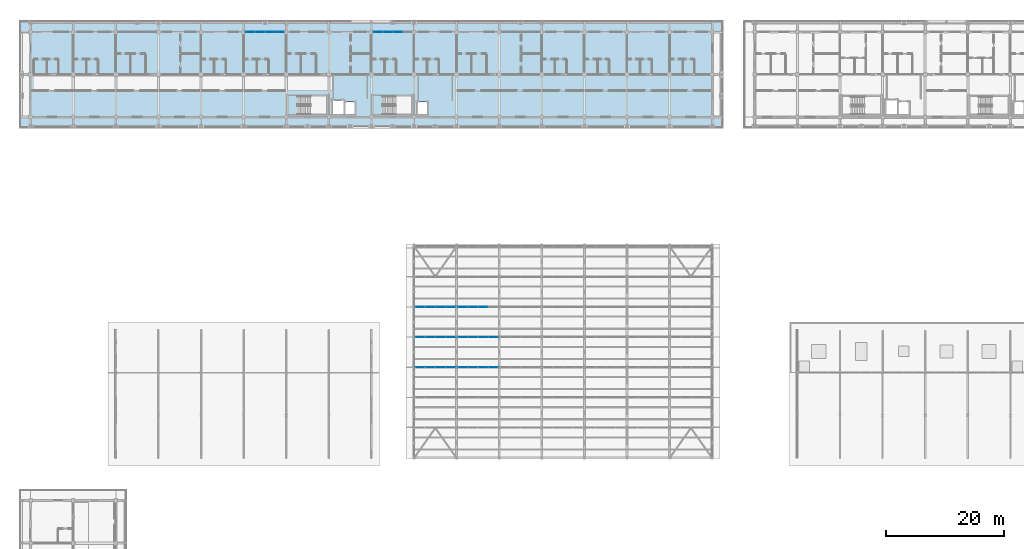
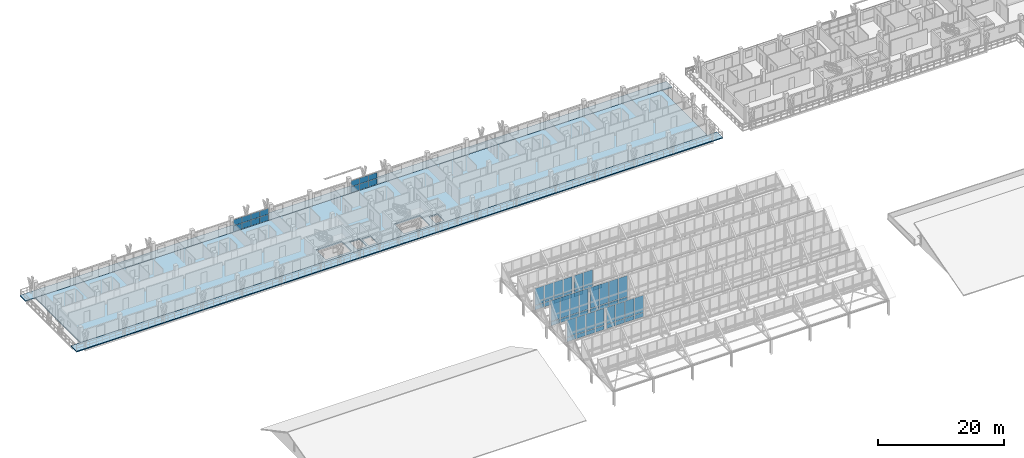
# One storey, part 100 of 157: 59 plates, 3 slabs, 8 elements without a shape of their own.
"""IFC4 building model written with IfcOpenShell, lengths in metres."""

from ifc_helpers import new_model, si_unit, direction, frame, origin, origin_2d, place, context, subcontext, project, spatial, polyline, rectangle, outline, extrude, material, layer, layer_set, type_object, element, aggregate, save


model = new_model("IFC4")

# Units and contexts
model_context = context("Model", 3, precision=1e-05, world=origin(), true_north=direction((0.0, 1.0)))
body_context = subcontext(model_context, "Body", "Model", "MODEL_VIEW")
ifc_project = project(units=[si_unit("LENGTHUNIT", "METRE"), si_unit("AREAUNIT", "SQUARE_METRE"), si_unit("VOLUMEUNIT", "CUBIC_METRE"), si_unit("PLANEANGLEUNIT", "RADIAN"), si_unit("MASSUNIT", "GRAM", prefix="KILO")], contexts=[model_context])

# Site, building, storey
site_placement = place(None, origin())
site = spatial("IfcSite", under=ifc_project, at=site_placement, CompositionType="ELEMENT")
building_placement = place(site_placement, origin())
building = spatial("IfcBuilding", under=site, at=building_placement, Name="Suanplinth Sawtooth Commons", CompositionType="ELEMENT")
storey_placement = place(building_placement, frame((0.0, 0.0, 9.0)))
storey = spatial("IfcBuildingStorey", under=building, at=storey_placement, Name="L02", CompositionType="ELEMENT", Elevation=9.0)

# Curtain wall, plates
ifc_material_1 = material(Name="Anodized aluminium and low-E glazing", Category="aluminium")
curtain_wall_type_1 = type_object("IfcCurtainWallType", Name="CW-06", PredefinedType="USERDEFINED", material=ifc_material_1)
curtain_wall_1_placement = place(storey_placement, origin())
curtain_wall_1 = element("IfcCurtainWall", 1, at=curtain_wall_1_placement, inside=storey, type_object=curtain_wall_type_1, Name="Curtain Wall CW-L02-A-LOUNGE-5", ObjectType="CURTAIN WALL", PredefinedType="USERDEFINED")
ifc_material_2 = material(Name="Tempered low-E double glazing", Category="glass")
ifc_layer_1 = layer(ifc_material_2, 0.028076171875, Name="Vision low-E insulated glazing unit 28mm")
ifc_layer_set_1 = layer_set([ifc_layer_1], Name="Tempered low-E double glazing")
plate_type_1 = type_object("IfcPlateType", Name="PL-05", PredefinedType="CURTAIN_PANEL", material=ifc_layer_set_1)
plate_1_placement = place(storey_placement, frame((37.159912109375, 122.39990234375, 0.06494140625), z_axis=(0.0, 0.0, 1.0), x_axis=(1.0, 0.0, 0.0)))
plate_1 = element("IfcPlate", 2, at=plate_1_placement, type_object=plate_type_1, Name="CW-06 panel 1.1", PredefinedType="CURTAIN_PANEL", context=body_context, shape_type="SweptSolid", body=[
    extrude(rectangle(XDim=1.5400390625, YDim=0.028076171875, at=origin_2d()), origin(), (0.0, 0.0, 1.0), 1.12255859375),
])
plate_2_placement = place(storey_placement, frame((37.159912109375, 122.39990234375, 1.25244140625), z_axis=(0.0, 0.0, 1.0), x_axis=(1.0, 0.0, 0.0)))
plate_2 = element("IfcPlate", 3, at=plate_2_placement, type_object=plate_type_1, Name="CW-06 panel 1.2", PredefinedType="CURTAIN_PANEL", context=body_context, shape_type="SweptSolid", body=[
    extrude(rectangle(XDim=1.5400390625, YDim=0.028076171875, at=origin_2d()), origin(), (0.0, 0.0, 1.0), 1.12255859375),
])
plate_3_placement = place(storey_placement, frame((38.78125, 122.39990234375, 0.06494140625), z_axis=(0.0, 0.0, 1.0), x_axis=(1.0, 0.0, 0.0)))
plate_3 = element("IfcPlate", 4, at=plate_3_placement, type_object=plate_type_1, Name="CW-06 panel 2.1", PredefinedType="CURTAIN_PANEL", context=body_context, shape_type="SweptSolid", body=[
    extrude(rectangle(XDim=1.572509765625, YDim=0.028076171875, at=origin_2d()), origin(), (0.0, 0.0, 1.0), 1.12255859375),
])
plate_4_placement = place(storey_placement, frame((38.78125, 122.39990234375, 1.25244140625), z_axis=(0.0, 0.0, 1.0), x_axis=(1.0, 0.0, 0.0)))
plate_4 = element("IfcPlate", 5, at=plate_4_placement, type_object=plate_type_1, Name="CW-06 panel 2.2", PredefinedType="CURTAIN_PANEL", context=body_context, shape_type="SweptSolid", body=[
    extrude(rectangle(XDim=1.572509765625, YDim=0.028076171875, at=origin_2d()), origin(), (0.0, 0.0, 1.0), 1.12255859375),
])
plate_5_placement = place(storey_placement, frame((40.418701171875, 122.39990234375, 0.06494140625), z_axis=(0.0, 0.0, 1.0), x_axis=(1.0, 0.0, 0.0)))
plate_5 = element("IfcPlate", 6, at=plate_5_placement, type_object=plate_type_1, Name="CW-06 panel 3.1", PredefinedType="CURTAIN_PANEL", context=body_context, shape_type="SweptSolid", body=[
    extrude(rectangle(XDim=1.572509765625, YDim=0.028076171875, at=origin_2d()), origin(), (0.0, 0.0, 1.0), 1.12255859375),
])
plate_6_placement = place(storey_placement, frame((40.418701171875, 122.39990234375, 1.25244140625), z_axis=(0.0, 0.0, 1.0), x_axis=(1.0, 0.0, 0.0)))
plate_6 = element("IfcPlate", 7, at=plate_6_placement, type_object=plate_type_1, Name="CW-06 panel 3.2", PredefinedType="CURTAIN_PANEL", context=body_context, shape_type="SweptSolid", body=[
    extrude(rectangle(XDim=1.572509765625, YDim=0.028076171875, at=origin_2d()), origin(), (0.0, 0.0, 1.0), 1.12255859375),
])
plate_7_placement = place(storey_placement, frame((42.0400390625, 122.39990234375, 0.06494140625), z_axis=(0.0, 0.0, 1.0), x_axis=(1.0, 0.0, 0.0)))
plate_7 = element("IfcPlate", 8, at=plate_7_placement, type_object=plate_type_1, Name="CW-06 panel 4.1", PredefinedType="CURTAIN_PANEL", context=body_context, shape_type="SweptSolid", body=[
    extrude(rectangle(XDim=1.5400390625, YDim=0.028076171875, at=origin_2d()), origin(), (0.0, 0.0, 1.0), 1.12255859375),
])
plate_8_placement = place(storey_placement, frame((42.0400390625, 122.39990234375, 1.25244140625), z_axis=(0.0, 0.0, 1.0), x_axis=(1.0, 0.0, 0.0)))
plate_8 = element("IfcPlate", 9, at=plate_8_placement, type_object=plate_type_1, Name="CW-06 panel 4.2", PredefinedType="CURTAIN_PANEL", context=body_context, shape_type="SweptSolid", body=[
    extrude(rectangle(XDim=1.5400390625, YDim=0.028076171875, at=origin_2d()), origin(), (0.0, 0.0, 1.0), 1.12255859375),
])
aggregate(curtain_wall_1, [plate_1, plate_2, plate_3, plate_4, plate_5, plate_6, plate_7, plate_8])

curtain_wall_2_placement = place(storey_placement, origin())
curtain_wall_2 = element("IfcCurtainWall", 10, at=curtain_wall_2_placement, inside=storey, type_object=curtain_wall_type_1, Name="Curtain Wall CW-L02-A-LOUNGE-8", ObjectType="CURTAIN WALL", PredefinedType="USERDEFINED")
plate_9_placement = place(storey_placement, frame((58.760009765625, 122.39990234375, 0.06494140625), z_axis=(0.0, 0.0, 1.0), x_axis=(1.0, 0.0, 0.0)))
plate_9 = element("IfcPlate", 11, at=plate_9_placement, type_object=plate_type_1, Name="CW-06 panel 1.1", PredefinedType="CURTAIN_PANEL", context=body_context, shape_type="SweptSolid", body=[
    extrude(rectangle(XDim=1.5400390625, YDim=0.028076171875, at=origin_2d()), origin(), (0.0, 0.0, 1.0), 1.12255859375),
])
plate_10_placement = place(storey_placement, frame((58.760009765625, 122.39990234375, 1.25244140625), z_axis=(0.0, 0.0, 1.0), x_axis=(1.0, 0.0, 0.0)))
plate_10 = element("IfcPlate", 12, at=plate_10_placement, type_object=plate_type_1, Name="CW-06 panel 1.2", PredefinedType="CURTAIN_PANEL", context=body_context, shape_type="SweptSolid", body=[
    extrude(rectangle(XDim=1.5400390625, YDim=0.028076171875, at=origin_2d()), origin(), (0.0, 0.0, 1.0), 1.12255859375),
])
plate_11_placement = place(storey_placement, frame((60.38134765625, 122.39990234375, 0.06494140625), z_axis=(0.0, 0.0, 1.0), x_axis=(1.0, 0.0, 0.0)))
plate_11 = element("IfcPlate", 13, at=plate_11_placement, type_object=plate_type_1, Name="CW-06 panel 2.1", PredefinedType="CURTAIN_PANEL", context=body_context, shape_type="SweptSolid", body=[
    extrude(rectangle(XDim=1.572509765625, YDim=0.028076171875, at=origin_2d()), origin(), (0.0, 0.0, 1.0), 1.12255859375),
])
plate_12_placement = place(storey_placement, frame((60.38134765625, 122.39990234375, 1.25244140625), z_axis=(0.0, 0.0, 1.0), x_axis=(1.0, 0.0, 0.0)))
plate_12 = element("IfcPlate", 14, at=plate_12_placement, type_object=plate_type_1, Name="CW-06 panel 2.2", PredefinedType="CURTAIN_PANEL", context=body_context, shape_type="SweptSolid", body=[
    extrude(rectangle(XDim=1.572509765625, YDim=0.028076171875, at=origin_2d()), origin(), (0.0, 0.0, 1.0), 1.12255859375),
])
plate_13_placement = place(storey_placement, frame((62.018798828125, 122.39990234375, 0.06494140625), z_axis=(0.0, 0.0, 1.0), x_axis=(1.0, 0.0, 0.0)))
plate_13 = element("IfcPlate", 15, at=plate_13_placement, type_object=plate_type_1, Name="CW-06 panel 3.1", PredefinedType="CURTAIN_PANEL", context=body_context, shape_type="SweptSolid", body=[
    extrude(rectangle(XDim=1.572509765625, YDim=0.028076171875, at=origin_2d()), origin(), (0.0, 0.0, 1.0), 1.12255859375),
])
plate_14_placement = place(storey_placement, frame((62.018798828125, 122.39990234375, 1.25244140625), z_axis=(0.0, 0.0, 1.0), x_axis=(1.0, 0.0, 0.0)))
plate_14 = element("IfcPlate", 16, at=plate_14_placement, type_object=plate_type_1, Name="CW-06 panel 3.2", PredefinedType="CURTAIN_PANEL", context=body_context, shape_type="SweptSolid", body=[
    extrude(rectangle(XDim=1.572509765625, YDim=0.028076171875, at=origin_2d()), origin(), (0.0, 0.0, 1.0), 1.12255859375),
])
aggregate(curtain_wall_2, [plate_9, plate_10, plate_11, plate_12, plate_13, plate_14])

curtain_wall_type_2 = type_object("IfcCurtainWallType", Name="CW-03", PredefinedType="USERDEFINED", material=ifc_material_1)
curtain_wall_3_placement = place(storey_placement, origin())
curtain_wall_3 = element("IfcCurtainWall", 17, at=curtain_wall_3_placement, inside=storey, type_object=curtain_wall_type_2, Name="Curtain Wall CW-SAW-T3-B1", ObjectType="CURTAIN WALL", PredefinedType="USERDEFINED")
ifc_material_3 = material(Name="Diffused north-light laminated glazing", Category="glass")
ifc_layer_2 = layer(ifc_material_3, 0.02587890625, Name="Sawtooth north-light diffused glazing panel 26mm")
ifc_layer_set_2 = layer_set([ifc_layer_2], Name="Diffused north-light laminated glazing")
plate_type_2 = type_object("IfcPlateType", Name="PL-07", PredefinedType="CURTAIN_PANEL", material=ifc_layer_set_2)
plate_15_placement = place(storey_placement, frame((65.808837890625, 65.699951171875, 3.054931640625), z_axis=(0.0, 0.0, 1.0), x_axis=(1.0, 0.0, 0.0)))
plate_15 = element("IfcPlate", 18, at=plate_15_placement, type_object=plate_type_2, Name="CW-03 panel 1.1", PredefinedType="CURTAIN_PANEL", context=body_context, shape_type="SweptSolid", body=[
    extrude(rectangle(XDim=1.62744140625, YDim=0.02587890625, at=origin_2d()), origin(), (0.0, 0.0, 1.0), 0.78759765625),
])
plate_16_placement = place(storey_placement, frame((65.808837890625, 65.699951171875, 3.91748046875), z_axis=(0.0, 0.0, 1.0), x_axis=(1.0, 0.0, 0.0)))
plate_16 = element("IfcPlate", 19, at=plate_16_placement, type_object=plate_type_2, Name="CW-03 panel 1.2", PredefinedType="CURTAIN_PANEL", context=body_context, shape_type="SweptSolid", body=[
    extrude(rectangle(XDim=1.62744140625, YDim=0.02587890625, at=origin_2d()), origin(), (0.0, 0.0, 1.0), 3.297607421875),
])
plate_17_placement = place(storey_placement, frame((67.530029296875, 65.699951171875, 3.054931640625), z_axis=(0.0, 0.0, 1.0), x_axis=(1.0, 0.0, 0.0)))
plate_17 = element("IfcPlate", 20, at=plate_17_placement, type_object=plate_type_2, Name="CW-03 panel 2.1", PredefinedType="CURTAIN_PANEL", context=body_context, shape_type="SweptSolid", body=[
    extrude(rectangle(XDim=1.6650390625, YDim=0.02587890625, at=origin_2d()), origin(), (0.0, 0.0, 1.0), 0.78759765625),
])
plate_18_placement = place(storey_placement, frame((67.530029296875, 65.699951171875, 3.91748046875), z_axis=(0.0, 0.0, 1.0), x_axis=(1.0, 0.0, 0.0)))
plate_18 = element("IfcPlate", 21, at=plate_18_placement, type_object=plate_type_2, Name="CW-03 panel 2.2", PredefinedType="CURTAIN_PANEL", context=body_context, shape_type="SweptSolid", body=[
    extrude(rectangle(XDim=1.6650390625, YDim=0.02587890625, at=origin_2d()), origin(), (0.0, 0.0, 1.0), 3.297607421875),
])
plate_19_placement = place(storey_placement, frame((69.27001953125, 65.699951171875, 3.054931640625), z_axis=(0.0, 0.0, 1.0), x_axis=(1.0, 0.0, 0.0)))
plate_19 = element("IfcPlate", 22, at=plate_19_placement, type_object=plate_type_2, Name="CW-03 panel 3.1", PredefinedType="CURTAIN_PANEL", context=body_context, shape_type="SweptSolid", body=[
    extrude(rectangle(XDim=1.6650390625, YDim=0.02587890625, at=origin_2d()), origin(), (0.0, 0.0, 1.0), 0.78759765625),
])
plate_20_placement = place(storey_placement, frame((69.27001953125, 65.699951171875, 3.91748046875), z_axis=(0.0, 0.0, 1.0), x_axis=(1.0, 0.0, 0.0)))
plate_20 = element("IfcPlate", 23, at=plate_20_placement, type_object=plate_type_2, Name="CW-03 panel 3.2", PredefinedType="CURTAIN_PANEL", context=body_context, shape_type="SweptSolid", body=[
    extrude(rectangle(XDim=1.6650390625, YDim=0.02587890625, at=origin_2d()), origin(), (0.0, 0.0, 1.0), 3.297607421875),
])
plate_21_placement = place(storey_placement, frame((70.9912109375, 65.699951171875, 3.054931640625), z_axis=(0.0, 0.0, 1.0), x_axis=(1.0, 0.0, 0.0)))
plate_21 = element("IfcPlate", 24, at=plate_21_placement, type_object=plate_type_2, Name="CW-03 panel 4.1", PredefinedType="CURTAIN_PANEL", context=body_context, shape_type="SweptSolid", body=[
    extrude(rectangle(XDim=1.62744140625, YDim=0.02587890625, at=origin_2d()), origin(), (0.0, 0.0, 1.0), 0.78759765625),
])
plate_22_placement = place(storey_placement, frame((70.9912109375, 65.699951171875, 3.91748046875), z_axis=(0.0, 0.0, 1.0), x_axis=(1.0, 0.0, 0.0)))
plate_22 = element("IfcPlate", 25, at=plate_22_placement, type_object=plate_type_2, Name="CW-03 panel 4.2", PredefinedType="CURTAIN_PANEL", context=body_context, shape_type="SweptSolid", body=[
    extrude(rectangle(XDim=1.62744140625, YDim=0.02587890625, at=origin_2d()), origin(), (0.0, 0.0, 1.0), 3.297607421875),
])
aggregate(curtain_wall_3, [plate_15, plate_16, plate_17, plate_18, plate_19, plate_20, plate_21, plate_22])

curtain_wall_4_placement = place(storey_placement, origin())
curtain_wall_4 = element("IfcCurtainWall", 26, at=curtain_wall_4_placement, inside=storey, type_object=curtain_wall_type_2, Name="Curtain Wall CW-SAW-T3-B2", ObjectType="CURTAIN WALL", PredefinedType="USERDEFINED")
plate_23_placement = place(storey_placement, frame((73.0087890625, 65.699951171875, 3.054931640625), z_axis=(0.0, 0.0, 1.0), x_axis=(1.0, 0.0, 0.0)))
plate_23 = element("IfcPlate", 27, at=plate_23_placement, type_object=plate_type_2, Name="CW-03 panel 1.1", PredefinedType="CURTAIN_PANEL", context=body_context, shape_type="SweptSolid", body=[
    extrude(rectangle(XDim=1.62744140625, YDim=0.02587890625, at=origin_2d()), origin(), (0.0, 0.0, 1.0), 0.78759765625),
])
plate_24_placement = place(storey_placement, frame((73.0087890625, 65.699951171875, 3.91748046875), z_axis=(0.0, 0.0, 1.0), x_axis=(1.0, 0.0, 0.0)))
plate_24 = element("IfcPlate", 28, at=plate_24_placement, type_object=plate_type_2, Name="CW-03 panel 1.2", PredefinedType="CURTAIN_PANEL", context=body_context, shape_type="SweptSolid", body=[
    extrude(rectangle(XDim=1.62744140625, YDim=0.02587890625, at=origin_2d()), origin(), (0.0, 0.0, 1.0), 3.297607421875),
])
plate_25_placement = place(storey_placement, frame((74.72998046875, 65.699951171875, 3.054931640625), z_axis=(0.0, 0.0, 1.0), x_axis=(1.0, 0.0, 0.0)))
plate_25 = element("IfcPlate", 29, at=plate_25_placement, type_object=plate_type_2, Name="CW-03 panel 2.1", PredefinedType="CURTAIN_PANEL", context=body_context, shape_type="SweptSolid", body=[
    extrude(rectangle(XDim=1.6650390625, YDim=0.02587890625, at=origin_2d()), origin(), (0.0, 0.0, 1.0), 0.78759765625),
])
plate_26_placement = place(storey_placement, frame((74.72998046875, 65.699951171875, 3.91748046875), z_axis=(0.0, 0.0, 1.0), x_axis=(1.0, 0.0, 0.0)))
plate_26 = element("IfcPlate", 30, at=plate_26_placement, type_object=plate_type_2, Name="CW-03 panel 2.2", PredefinedType="CURTAIN_PANEL", context=body_context, shape_type="SweptSolid", body=[
    extrude(rectangle(XDim=1.6650390625, YDim=0.02587890625, at=origin_2d()), origin(), (0.0, 0.0, 1.0), 3.297607421875),
])
plate_27_placement = place(storey_placement, frame((76.469970703125, 65.699951171875, 3.054931640625), z_axis=(0.0, 0.0, 1.0), x_axis=(1.0, 0.0, 0.0)))
plate_27 = element("IfcPlate", 31, at=plate_27_placement, type_object=plate_type_2, Name="CW-03 panel 3.1", PredefinedType="CURTAIN_PANEL", context=body_context, shape_type="SweptSolid", body=[
    extrude(rectangle(XDim=1.6650390625, YDim=0.02587890625, at=origin_2d()), origin(), (0.0, 0.0, 1.0), 0.78759765625),
])
plate_28_placement = place(storey_placement, frame((76.469970703125, 65.699951171875, 3.91748046875), z_axis=(0.0, 0.0, 1.0), x_axis=(1.0, 0.0, 0.0)))
plate_28 = element("IfcPlate", 32, at=plate_28_placement, type_object=plate_type_2, Name="CW-03 panel 3.2", PredefinedType="CURTAIN_PANEL", context=body_context, shape_type="SweptSolid", body=[
    extrude(rectangle(XDim=1.6650390625, YDim=0.02587890625, at=origin_2d()), origin(), (0.0, 0.0, 1.0), 3.297607421875),
])
plate_29_placement = place(storey_placement, frame((78.191162109375, 65.699951171875, 3.054931640625), z_axis=(0.0, 0.0, 1.0), x_axis=(1.0, 0.0, 0.0)))
plate_29 = element("IfcPlate", 33, at=plate_29_placement, type_object=plate_type_2, Name="CW-03 panel 4.1", PredefinedType="CURTAIN_PANEL", context=body_context, shape_type="SweptSolid", body=[
    extrude(rectangle(XDim=1.62744140625, YDim=0.02587890625, at=origin_2d()), origin(), (0.0, 0.0, 1.0), 0.78759765625),
])
plate_30_placement = place(storey_placement, frame((78.191162109375, 65.699951171875, 3.91748046875), z_axis=(0.0, 0.0, 1.0), x_axis=(1.0, 0.0, 0.0)))
plate_30 = element("IfcPlate", 34, at=plate_30_placement, type_object=plate_type_2, Name="CW-03 panel 4.2", PredefinedType="CURTAIN_PANEL", context=body_context, shape_type="SweptSolid", body=[
    extrude(rectangle(XDim=1.62744140625, YDim=0.02587890625, at=origin_2d()), origin(), (0.0, 0.0, 1.0), 3.297607421875),
])
aggregate(curtain_wall_4, [plate_23, plate_24, plate_25, plate_26, plate_27, plate_28, plate_29, plate_30])

curtain_wall_5_placement = place(storey_placement, origin())
curtain_wall_5 = element("IfcCurtainWall", 35, at=curtain_wall_5_placement, inside=storey, type_object=curtain_wall_type_2, Name="Curtain Wall CW-SAW-T5-B1", ObjectType="CURTAIN WALL", PredefinedType="USERDEFINED")
plate_31_placement = place(storey_placement, frame((65.808837890625, 75.89990234375, 3.054931640625), z_axis=(0.0, 0.0, 1.0), x_axis=(1.0, 0.0, 0.0)))
plate_31 = element("IfcPlate", 36, at=plate_31_placement, type_object=plate_type_2, Name="CW-03 panel 1.1", PredefinedType="CURTAIN_PANEL", context=body_context, shape_type="SweptSolid", body=[
    extrude(rectangle(XDim=1.62744140625, YDim=0.02587890625, at=origin_2d()), origin(), (0.0, 0.0, 1.0), 0.78759765625),
])
plate_32_placement = place(storey_placement, frame((65.808837890625, 75.89990234375, 3.91748046875), z_axis=(0.0, 0.0, 1.0), x_axis=(1.0, 0.0, 0.0)))
plate_32 = element("IfcPlate", 37, at=plate_32_placement, type_object=plate_type_2, Name="CW-03 panel 1.2", PredefinedType="CURTAIN_PANEL", context=body_context, shape_type="SweptSolid", body=[
    extrude(rectangle(XDim=1.62744140625, YDim=0.02587890625, at=origin_2d()), origin(), (0.0, 0.0, 1.0), 3.297607421875),
])
plate_33_placement = place(storey_placement, frame((67.530029296875, 75.89990234375, 3.054931640625), z_axis=(0.0, 0.0, 1.0), x_axis=(1.0, 0.0, 0.0)))
plate_33 = element("IfcPlate", 38, at=plate_33_placement, type_object=plate_type_2, Name="CW-03 panel 2.1", PredefinedType="CURTAIN_PANEL", context=body_context, shape_type="SweptSolid", body=[
    extrude(rectangle(XDim=1.6650390625, YDim=0.02587890625, at=origin_2d()), origin(), (0.0, 0.0, 1.0), 0.78759765625),
])
plate_34_placement = place(storey_placement, frame((67.530029296875, 75.89990234375, 3.91748046875), z_axis=(0.0, 0.0, 1.0), x_axis=(1.0, 0.0, 0.0)))
plate_34 = element("IfcPlate", 39, at=plate_34_placement, type_object=plate_type_2, Name="CW-03 panel 2.2", PredefinedType="CURTAIN_PANEL", context=body_context, shape_type="SweptSolid", body=[
    extrude(rectangle(XDim=1.6650390625, YDim=0.02587890625, at=origin_2d()), origin(), (0.0, 0.0, 1.0), 3.297607421875),
])
plate_35_placement = place(storey_placement, frame((69.27001953125, 75.89990234375, 3.054931640625), z_axis=(0.0, 0.0, 1.0), x_axis=(1.0, 0.0, 0.0)))
plate_35 = element("IfcPlate", 40, at=plate_35_placement, type_object=plate_type_2, Name="CW-03 panel 3.1", PredefinedType="CURTAIN_PANEL", context=body_context, shape_type="SweptSolid", body=[
    extrude(rectangle(XDim=1.6650390625, YDim=0.02587890625, at=origin_2d()), origin(), (0.0, 0.0, 1.0), 0.78759765625),
])
plate_36_placement = place(storey_placement, frame((69.27001953125, 75.89990234375, 3.91748046875), z_axis=(0.0, 0.0, 1.0), x_axis=(1.0, 0.0, 0.0)))
plate_36 = element("IfcPlate", 41, at=plate_36_placement, type_object=plate_type_2, Name="CW-03 panel 3.2", PredefinedType="CURTAIN_PANEL", context=body_context, shape_type="SweptSolid", body=[
    extrude(rectangle(XDim=1.6650390625, YDim=0.02587890625, at=origin_2d()), origin(), (0.0, 0.0, 1.0), 3.297607421875),
])
plate_37_placement = place(storey_placement, frame((70.9912109375, 75.89990234375, 3.054931640625), z_axis=(0.0, 0.0, 1.0), x_axis=(1.0, 0.0, 0.0)))
plate_37 = element("IfcPlate", 42, at=plate_37_placement, type_object=plate_type_2, Name="CW-03 panel 4.1", PredefinedType="CURTAIN_PANEL", context=body_context, shape_type="SweptSolid", body=[
    extrude(rectangle(XDim=1.62744140625, YDim=0.02587890625, at=origin_2d()), origin(), (0.0, 0.0, 1.0), 0.78759765625),
])
plate_38_placement = place(storey_placement, frame((70.9912109375, 75.89990234375, 3.91748046875), z_axis=(0.0, 0.0, 1.0), x_axis=(1.0, 0.0, 0.0)))
plate_38 = element("IfcPlate", 43, at=plate_38_placement, type_object=plate_type_2, Name="CW-03 panel 4.2", PredefinedType="CURTAIN_PANEL", context=body_context, shape_type="SweptSolid", body=[
    extrude(rectangle(XDim=1.62744140625, YDim=0.02587890625, at=origin_2d()), origin(), (0.0, 0.0, 1.0), 3.297607421875),
])
aggregate(curtain_wall_5, [plate_31, plate_32, plate_33, plate_34, plate_35, plate_36, plate_37, plate_38])

curtain_wall_6_placement = place(storey_placement, origin())
curtain_wall_6 = element("IfcCurtainWall", 44, at=curtain_wall_6_placement, inside=storey, type_object=curtain_wall_type_2, Name="Curtain Wall CW-SAW-T5-B2", ObjectType="CURTAIN WALL", PredefinedType="USERDEFINED")
plate_39_placement = place(storey_placement, frame((73.0087890625, 75.89990234375, 3.054931640625), z_axis=(0.0, 0.0, 1.0), x_axis=(1.0, 0.0, 0.0)))
plate_39 = element("IfcPlate", 45, at=plate_39_placement, type_object=plate_type_2, Name="CW-03 panel 1.1", PredefinedType="CURTAIN_PANEL", context=body_context, shape_type="SweptSolid", body=[
    extrude(rectangle(XDim=1.62744140625, YDim=0.02587890625, at=origin_2d()), origin(), (0.0, 0.0, 1.0), 0.78759765625),
])
plate_40_placement = place(storey_placement, frame((73.0087890625, 75.89990234375, 3.91748046875), z_axis=(0.0, 0.0, 1.0), x_axis=(1.0, 0.0, 0.0)))
plate_40 = element("IfcPlate", 46, at=plate_40_placement, type_object=plate_type_2, Name="CW-03 panel 1.2", PredefinedType="CURTAIN_PANEL", context=body_context, shape_type="SweptSolid", body=[
    extrude(rectangle(XDim=1.62744140625, YDim=0.02587890625, at=origin_2d()), origin(), (0.0, 0.0, 1.0), 3.297607421875),
])
plate_41_placement = place(storey_placement, frame((74.72998046875, 75.89990234375, 3.054931640625), z_axis=(0.0, 0.0, 1.0), x_axis=(1.0, 0.0, 0.0)))
plate_41 = element("IfcPlate", 47, at=plate_41_placement, type_object=plate_type_2, Name="CW-03 panel 2.1", PredefinedType="CURTAIN_PANEL", context=body_context, shape_type="SweptSolid", body=[
    extrude(rectangle(XDim=1.6650390625, YDim=0.02587890625, at=origin_2d()), origin(), (0.0, 0.0, 1.0), 0.78759765625),
])
plate_42_placement = place(storey_placement, frame((74.72998046875, 75.89990234375, 3.91748046875), z_axis=(0.0, 0.0, 1.0), x_axis=(1.0, 0.0, 0.0)))
plate_42 = element("IfcPlate", 48, at=plate_42_placement, type_object=plate_type_2, Name="CW-03 panel 2.2", PredefinedType="CURTAIN_PANEL", context=body_context, shape_type="SweptSolid", body=[
    extrude(rectangle(XDim=1.6650390625, YDim=0.02587890625, at=origin_2d()), origin(), (0.0, 0.0, 1.0), 3.297607421875),
])
plate_43_placement = place(storey_placement, frame((76.469970703125, 75.89990234375, 3.054931640625), z_axis=(0.0, 0.0, 1.0), x_axis=(1.0, 0.0, 0.0)))
plate_43 = element("IfcPlate", 49, at=plate_43_placement, type_object=plate_type_2, Name="CW-03 panel 3.1", PredefinedType="CURTAIN_PANEL", context=body_context, shape_type="SweptSolid", body=[
    extrude(rectangle(XDim=1.6650390625, YDim=0.02587890625, at=origin_2d()), origin(), (0.0, 0.0, 1.0), 0.78759765625),
])
aggregate(curtain_wall_6, [plate_39, plate_40, plate_41, plate_42, plate_43])

curtain_wall_7_placement = place(storey_placement, origin())
curtain_wall_7 = element("IfcCurtainWall", 50, at=curtain_wall_7_placement, inside=storey, type_object=curtain_wall_type_2, Name="Curtain Wall CW-SAW-T4-B1", ObjectType="CURTAIN WALL", PredefinedType="USERDEFINED")
ifc_material_4 = material(Name="Diffused solar-control north-light glazing", Category="glass")
ifc_layer_3 = layer(ifc_material_4, 0.033935546875, Name="Sawtooth upper diffused glazing panel 34mm")
ifc_layer_set_3 = layer_set([ifc_layer_3], Name="Diffused solar-control north-light glazing")
plate_type_3 = type_object("IfcPlateType", Name="PL-09", PredefinedType="CURTAIN_PANEL", material=ifc_layer_set_3)
plate_44_placement = place(storey_placement, frame((65.808837890625, 70.800048828125, 3.054931640625), z_axis=(0.0, 0.0, 1.0), x_axis=(1.0, 0.0, 0.0)))
plate_44 = element("IfcPlate", 51, at=plate_44_placement, type_object=plate_type_3, Name="CW-03 panel 1.1", PredefinedType="CURTAIN_PANEL", context=body_context, shape_type="SweptSolid", body=[
    extrude(rectangle(XDim=1.62744140625, YDim=0.033935546875, at=origin_2d()), origin(), (0.0, 0.0, 1.0), 0.78759765625),
])
plate_45_placement = place(storey_placement, frame((65.808837890625, 70.800048828125, 3.91748046875), z_axis=(0.0, 0.0, 1.0), x_axis=(1.0, 0.0, 0.0)))
plate_45 = element("IfcPlate", 52, at=plate_45_placement, type_object=plate_type_3, Name="CW-03 panel 1.2", PredefinedType="CURTAIN_PANEL", context=body_context, shape_type="SweptSolid", body=[
    extrude(rectangle(XDim=1.62744140625, YDim=0.033935546875, at=origin_2d()), origin(), (0.0, 0.0, 1.0), 4.047607421875),
])
plate_46_placement = place(storey_placement, frame((67.530029296875, 70.800048828125, 3.054931640625), z_axis=(0.0, 0.0, 1.0), x_axis=(1.0, 0.0, 0.0)))
plate_46 = element("IfcPlate", 53, at=plate_46_placement, type_object=plate_type_3, Name="CW-03 panel 2.1", PredefinedType="CURTAIN_PANEL", context=body_context, shape_type="SweptSolid", body=[
    extrude(rectangle(XDim=1.6650390625, YDim=0.033935546875, at=origin_2d()), origin(), (0.0, 0.0, 1.0), 0.78759765625),
])
plate_47_placement = place(storey_placement, frame((67.530029296875, 70.800048828125, 3.91748046875), z_axis=(0.0, 0.0, 1.0), x_axis=(1.0, 0.0, 0.0)))
plate_47 = element("IfcPlate", 54, at=plate_47_placement, type_object=plate_type_3, Name="CW-03 panel 2.2", PredefinedType="CURTAIN_PANEL", context=body_context, shape_type="SweptSolid", body=[
    extrude(rectangle(XDim=1.6650390625, YDim=0.033935546875, at=origin_2d()), origin(), (0.0, 0.0, 1.0), 4.047607421875),
])
plate_48_placement = place(storey_placement, frame((69.27001953125, 70.800048828125, 3.054931640625), z_axis=(0.0, 0.0, 1.0), x_axis=(1.0, 0.0, 0.0)))
plate_48 = element("IfcPlate", 55, at=plate_48_placement, type_object=plate_type_3, Name="CW-03 panel 3.1", PredefinedType="CURTAIN_PANEL", context=body_context, shape_type="SweptSolid", body=[
    extrude(rectangle(XDim=1.6650390625, YDim=0.033935546875, at=origin_2d()), origin(), (0.0, 0.0, 1.0), 0.78759765625),
])
plate_49_placement = place(storey_placement, frame((69.27001953125, 70.800048828125, 3.91748046875), z_axis=(0.0, 0.0, 1.0), x_axis=(1.0, 0.0, 0.0)))
plate_49 = element("IfcPlate", 56, at=plate_49_placement, type_object=plate_type_3, Name="CW-03 panel 3.2", PredefinedType="CURTAIN_PANEL", context=body_context, shape_type="SweptSolid", body=[
    extrude(rectangle(XDim=1.6650390625, YDim=0.033935546875, at=origin_2d()), origin(), (0.0, 0.0, 1.0), 4.047607421875),
])
plate_50_placement = place(storey_placement, frame((70.9912109375, 70.800048828125, 3.054931640625), z_axis=(0.0, 0.0, 1.0), x_axis=(1.0, 0.0, 0.0)))
plate_50 = element("IfcPlate", 57, at=plate_50_placement, type_object=plate_type_3, Name="CW-03 panel 4.1", PredefinedType="CURTAIN_PANEL", context=body_context, shape_type="SweptSolid", body=[
    extrude(rectangle(XDim=1.62744140625, YDim=0.033935546875, at=origin_2d()), origin(), (0.0, 0.0, 1.0), 0.78759765625),
])
plate_51_placement = place(storey_placement, frame((70.9912109375, 70.800048828125, 3.91748046875), z_axis=(0.0, 0.0, 1.0), x_axis=(1.0, 0.0, 0.0)))
plate_51 = element("IfcPlate", 58, at=plate_51_placement, type_object=plate_type_3, Name="CW-03 panel 4.2", PredefinedType="CURTAIN_PANEL", context=body_context, shape_type="SweptSolid", body=[
    extrude(rectangle(XDim=1.62744140625, YDim=0.033935546875, at=origin_2d()), origin(), (0.0, 0.0, 1.0), 4.047607421875),
])
aggregate(curtain_wall_7, [plate_44, plate_45, plate_46, plate_47, plate_48, plate_49, plate_50, plate_51])

curtain_wall_8_placement = place(storey_placement, origin())
curtain_wall_8 = element("IfcCurtainWall", 59, at=curtain_wall_8_placement, inside=storey, type_object=curtain_wall_type_2, Name="Curtain Wall CW-SAW-T4-B2", ObjectType="CURTAIN WALL", PredefinedType="USERDEFINED")
plate_52_placement = place(storey_placement, frame((73.0087890625, 70.800048828125, 3.054931640625), z_axis=(0.0, 0.0, 1.0), x_axis=(1.0, 0.0, 0.0)))
plate_52 = element("IfcPlate", 60, at=plate_52_placement, type_object=plate_type_3, Name="CW-03 panel 1.1", PredefinedType="CURTAIN_PANEL", context=body_context, shape_type="SweptSolid", body=[
    extrude(rectangle(XDim=1.62744140625, YDim=0.033935546875, at=origin_2d()), origin(), (0.0, 0.0, 1.0), 0.78759765625),
])
plate_53_placement = place(storey_placement, frame((73.0087890625, 70.800048828125, 3.91748046875), z_axis=(0.0, 0.0, 1.0), x_axis=(1.0, 0.0, 0.0)))
plate_53 = element("IfcPlate", 61, at=plate_53_placement, type_object=plate_type_3, Name="CW-03 panel 1.2", PredefinedType="CURTAIN_PANEL", context=body_context, shape_type="SweptSolid", body=[
    extrude(rectangle(XDim=1.62744140625, YDim=0.033935546875, at=origin_2d()), origin(), (0.0, 0.0, 1.0), 4.047607421875),
])
plate_54_placement = place(storey_placement, frame((74.72998046875, 70.800048828125, 3.054931640625), z_axis=(0.0, 0.0, 1.0), x_axis=(1.0, 0.0, 0.0)))
plate_54 = element("IfcPlate", 62, at=plate_54_placement, type_object=plate_type_3, Name="CW-03 panel 2.1", PredefinedType="CURTAIN_PANEL", context=body_context, shape_type="SweptSolid", body=[
    extrude(rectangle(XDim=1.6650390625, YDim=0.033935546875, at=origin_2d()), origin(), (0.0, 0.0, 1.0), 0.78759765625),
])
plate_55_placement = place(storey_placement, frame((74.72998046875, 70.800048828125, 3.91748046875), z_axis=(0.0, 0.0, 1.0), x_axis=(1.0, 0.0, 0.0)))
plate_55 = element("IfcPlate", 63, at=plate_55_placement, type_object=plate_type_3, Name="CW-03 panel 2.2", PredefinedType="CURTAIN_PANEL", context=body_context, shape_type="SweptSolid", body=[
    extrude(rectangle(XDim=1.6650390625, YDim=0.033935546875, at=origin_2d()), origin(), (0.0, 0.0, 1.0), 4.047607421875),
])
plate_56_placement = place(storey_placement, frame((76.469970703125, 70.800048828125, 3.054931640625), z_axis=(0.0, 0.0, 1.0), x_axis=(1.0, 0.0, 0.0)))
plate_56 = element("IfcPlate", 64, at=plate_56_placement, type_object=plate_type_3, Name="CW-03 panel 3.1", PredefinedType="CURTAIN_PANEL", context=body_context, shape_type="SweptSolid", body=[
    extrude(rectangle(XDim=1.6650390625, YDim=0.033935546875, at=origin_2d()), origin(), (0.0, 0.0, 1.0), 0.78759765625),
])
plate_57_placement = place(storey_placement, frame((76.469970703125, 70.800048828125, 3.91748046875), z_axis=(0.0, 0.0, 1.0), x_axis=(1.0, 0.0, 0.0)))
plate_57 = element("IfcPlate", 65, at=plate_57_placement, type_object=plate_type_3, Name="CW-03 panel 3.2", PredefinedType="CURTAIN_PANEL", context=body_context, shape_type="SweptSolid", body=[
    extrude(rectangle(XDim=1.6650390625, YDim=0.033935546875, at=origin_2d()), origin(), (0.0, 0.0, 1.0), 4.047607421875),
])
plate_58_placement = place(storey_placement, frame((78.191162109375, 70.800048828125, 3.054931640625), z_axis=(0.0, 0.0, 1.0), x_axis=(1.0, 0.0, 0.0)))
plate_58 = element("IfcPlate", 66, at=plate_58_placement, type_object=plate_type_3, Name="CW-03 panel 4.1", PredefinedType="CURTAIN_PANEL", context=body_context, shape_type="SweptSolid", body=[
    extrude(rectangle(XDim=1.62744140625, YDim=0.033935546875, at=origin_2d()), origin(), (0.0, 0.0, 1.0), 0.78759765625),
])
plate_59_placement = place(storey_placement, frame((78.191162109375, 70.800048828125, 3.91748046875), z_axis=(0.0, 0.0, 1.0), x_axis=(1.0, 0.0, 0.0)))
plate_59 = element("IfcPlate", 67, at=plate_59_placement, type_object=plate_type_3, Name="CW-03 panel 4.2", PredefinedType="CURTAIN_PANEL", context=body_context, shape_type="SweptSolid", body=[
    extrude(rectangle(XDim=1.62744140625, YDim=0.033935546875, at=origin_2d()), origin(), (0.0, 0.0, 1.0), 4.047607421875),
])
aggregate(curtain_wall_8, [plate_52, plate_53, plate_54, plate_55, plate_56, plate_57, plate_58, plate_59])

# Slabs
ifc_material_5 = material(Name="Precast concrete C40/50", Category="concrete")
ifc_layer_4 = layer(ifc_material_5, 0.179931640625, Name="Wrap-around cantilevered precast balcony slab 180mm")
ifc_layer_set_4 = layer_set([ifc_layer_4], Name="Precast concrete C40/50")
slab_type_1 = type_object("IfcSlabType", Name="S-BL01", PredefinedType="FLOOR", material=ifc_layer_set_4)
slab_1_placement = place(storey_placement, frame((0.0, 0.0, -0.179931640625)))
element("IfcSlab", 68, at=slab_1_placement, inside=storey, type_object=slab_type_1, Name="L02 Block A Wrap-Around Balcony N", PredefinedType="FLOOR", context=body_context, shape_type="SweptSolid", body=[
    extrude(outline(polyline([(-1.800048828125, 122.39990234375), (-1.800048828125, 124.199951171875), (117.0, 124.199951171875), (117.0, 122.39990234375), (-1.800048828125, 122.39990234375)])), origin(), (0.0, 0.0, 1.0), 0.179931640625),
])
slab_2_placement = place(storey_placement, frame((0.0, 0.0, -0.179931640625)))
element("IfcSlab", 69, at=slab_2_placement, inside=storey, type_object=slab_type_1, Name="L02 Block A Wrap-Around Balcony S", PredefinedType="FLOOR", context=body_context, shape_type="SweptSolid", body=[
    extrude(outline(polyline([(117.0, 108.0), (117.0, 106.199951171875), (-1.800048828125, 106.199951171875), (-1.800048828125, 108.0), (117.0, 108.0)])), origin(), (0.0, 0.0, 1.0), 0.179931640625),
])
ifc_layer_5 = layer(ifc_material_5, 0.25, Name="Precast hollow-core + topping floor slab 250mm")
ifc_layer_set_5 = layer_set([ifc_layer_5], Name="Precast concrete C40/50")
slab_type_2 = type_object("IfcSlabType", Name="S-FL01", PredefinedType="FLOOR", material=ifc_layer_set_5)
slab_3_placement = place(storey_placement, frame((0.0, 0.0, -0.25)))
element("IfcSlab", 70, at=slab_3_placement, inside=storey, type_object=slab_type_2, Name="L02 Block A Structural Floor Plate", PredefinedType="FLOOR", context=body_context, shape_type="SweptSolid", body=[
    extrude(outline(polyline([(0.0, 108.0), (115.199951171875, 108.0), (115.199951171875, 122.39990234375), (0.0, 122.39990234375), (0.0, 108.0)]), holes=[polyline([(45.2900390625, 108.449951171875), (50.050048828125, 108.449951171875), (50.050048828125, 111.550048828125), (45.2900390625, 111.550048828125), (45.2900390625, 108.449951171875)]), polyline([(51.050048828125, 108.449951171875), (52.85009765625, 108.449951171875), (52.85009765625, 110.85009765625), (51.050048828125, 110.85009765625), (51.050048828125, 108.449951171875)]), polyline([(53.199951171875, 108.449951171875), (54.800048828125, 108.449951171875), (54.800048828125, 110.550048828125), (53.199951171875, 110.550048828125), (53.199951171875, 108.449951171875)]), polyline([(59.68994140625, 108.449951171875), (64.449951171875, 108.449951171875), (64.449951171875, 111.550048828125), (59.68994140625, 111.550048828125), (59.68994140625, 108.449951171875)]), polyline([(65.449951171875, 108.449951171875), (67.050048828125, 108.449951171875), (67.050048828125, 110.550048828125), (65.449951171875, 110.550048828125), (65.449951171875, 108.449951171875)])]), origin(), (0.0, 0.0, 1.0), 0.25),
])

save(model, "model.ifc")
